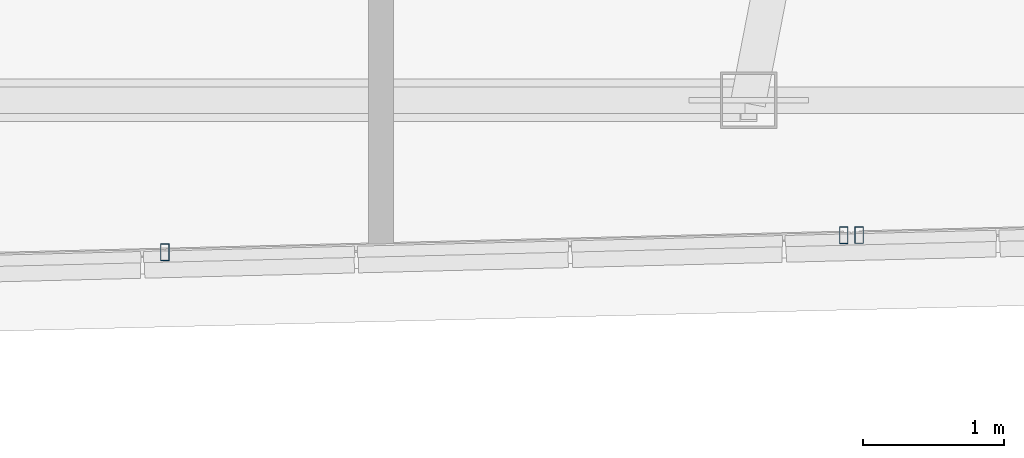
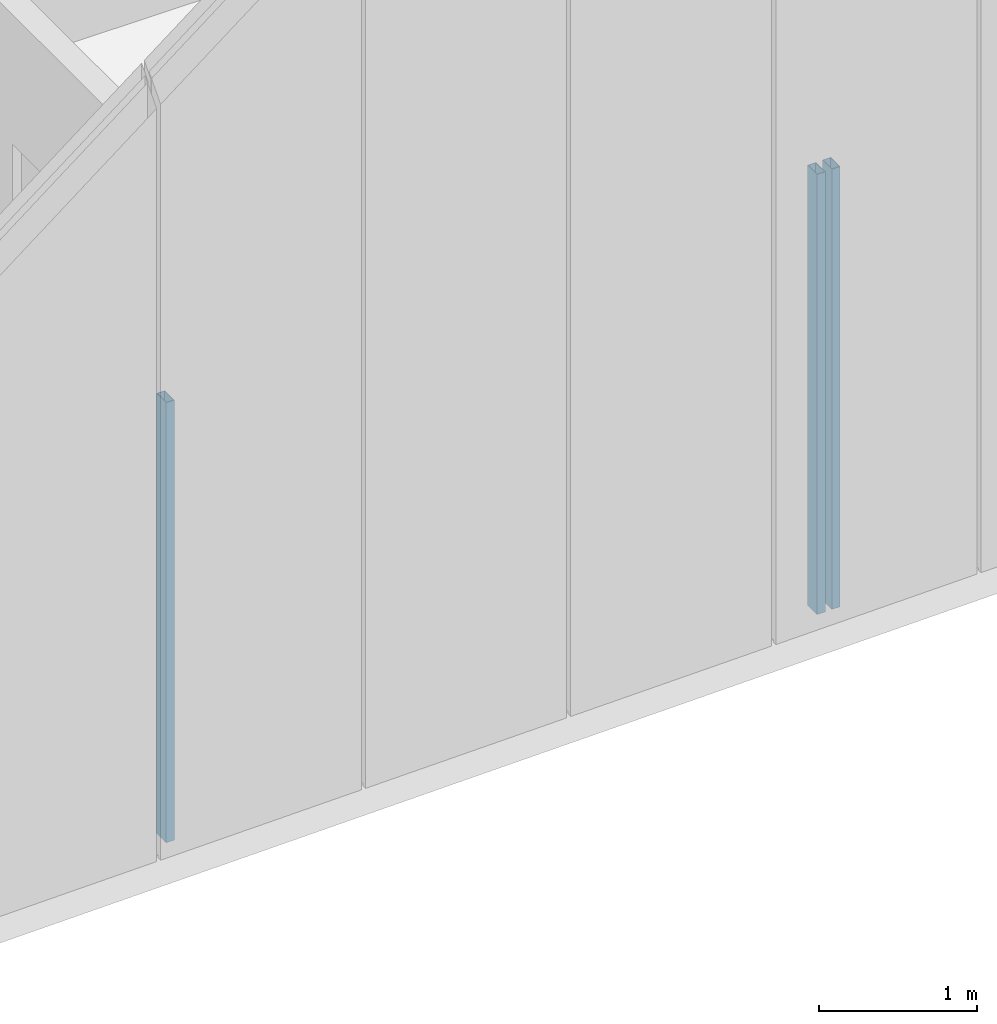
# One storey, part 12 of 50: 3 members, 2 elements without a shape of their own.
"""IFC4 building model written with IfcOpenShell, lengths in metres."""

from ifc_helpers import new_model, si_unit, direction, frame, origin, origin_2d, place, context, subcontext, project, spatial, hollow_rectangle, extrude, source, transform, mapped, material, material_profile, profile_set, type_object, type_shapes, element, aggregate, save


model = new_model("IFC4")

# Units and contexts
model_context = context("Model", 3, precision=1e-05, world=origin(), true_north=direction((0.0, 1.0)))
body_context = subcontext(model_context, "Body", "Model", "MODEL_VIEW")
ifc_project = project(units=[si_unit("LENGTHUNIT", "METRE"), si_unit("AREAUNIT", "SQUARE_METRE"), si_unit("VOLUMEUNIT", "CUBIC_METRE"), si_unit("PLANEANGLEUNIT", "RADIAN"), si_unit("MASSUNIT", "GRAM", prefix="KILO")], contexts=[model_context])

# Site, building, storey
site_placement = place(None, origin())
site = spatial("IfcSite", under=ifc_project, at=site_placement, CompositionType="ELEMENT")
building_placement = place(site_placement, origin())
building = spatial("IfcBuilding", under=site, at=building_placement, Name="Caelisora Broadcast Tower", CompositionType="ELEMENT")
storey_placement = place(building_placement, frame((0.0, 0.0, 303.39990234375)))
storey = spatial("IfcBuildingStorey", under=building, at=storey_placement, Name="L80", CompositionType="ELEMENT", Elevation=303.39990234375)

# Curtain wall, member
ifc_material_1 = material(Name="Unitised Aluminium Insulated Shadow-Box Spandrel Curtain Wall", Category="aluminium")
curtain_wall_type = type_object("IfcCurtainWallType", Name="CW-SP3", PredefinedType="NOTDEFINED", material=ifc_material_1)
curtain_wall_1_placement = place(storey_placement, origin())
curtain_wall_1 = element("IfcCurtainWall", 1, at=curtain_wall_1_placement, inside=storey, type_object=curtain_wall_type, Name="L80 curtain wall CW-SP3", PredefinedType="NOTDEFINED")
ifc_material_2 = material(Name="Aluminium 6063-T6 Anodised Terracotta Bronze", Category="aluminium")
ifc_material_profile = material_profile(ifc_material_2, hollow_rectangle(XDim=0.06005859375, YDim=0.1201171875, WallThickness=0.0029296875, at=origin_2d()), Name="Aluminium 6063-T6 Anodised Terracotta Bronze")
ifc_profile_set = profile_set([ifc_material_profile], Name="Aluminium 6063-T6 Anodised Terracotta Bronze")
member_type = type_object("IfcMemberType", Name="CWM-04", PredefinedType="MULLION", material=ifc_profile_set)
shared_shape = source(origin(), body_context, "Body", "SweptSolid", [
    extrude(hollow_rectangle(XDim=0.06005859375, YDim=0.1201171875, WallThickness=0.0029296875, at=origin_2d()), origin(), (0.0, 0.0, 1.0), 3.400146484375),
])
type_shapes(member_type, [shared_shape])
member_1_placement = place(storey_placement, frame((44.898681640625, 9.291748046875, 0.0), z_axis=(0.0, 0.0, 1.0), x_axis=(1.0, 0.0, 0.0)))
member_1 = element("IfcMember", 2, at=member_1_placement, type_object=member_type, Name="L80-CW-B05 mullion #3", PredefinedType="MULLION", context=body_context, shape_type="MappedRepresentation", body=[
    mapped(shared_shape, transform((0.0, 0.0, 0.0), scale=1.0)),
])
aggregate(curtain_wall_1, [member_1])

# Curtain wall, members
curtain_wall_2_placement = place(storey_placement, origin())
curtain_wall_2 = element("IfcCurtainWall", 3, at=curtain_wall_2_placement, inside=storey, type_object=curtain_wall_type, Name="L80 curtain wall CW-SP3", PredefinedType="NOTDEFINED")
member_2_placement = place(storey_placement, frame((44.788818359375, 9.2890625, 0.0), z_axis=(0.0, 0.0, 1.0), x_axis=(1.0, 0.0, 0.0)))
member_2 = element("IfcMember", 4, at=member_2_placement, type_object=member_type, Name="L80-CW-B06 mullion #0", PredefinedType="MULLION", context=body_context, shape_type="MappedRepresentation", body=[
    mapped(shared_shape, transform((0.0, 0.0, 0.0), scale=1.0)),
])
member_3_placement = place(storey_placement, frame((39.9638671875, 9.168701171875, 0.0), z_axis=(0.0, 0.0, 1.0), x_axis=(1.0, 0.0, 0.0)))
member_3 = element("IfcMember", 5, at=member_3_placement, type_object=member_type, Name="L80-CW-B06 mullion #1", PredefinedType="MULLION", context=body_context, shape_type="MappedRepresentation", body=[
    mapped(shared_shape, transform((0.0, 0.0, 0.0), scale=1.0)),
])
aggregate(curtain_wall_2, [member_2, member_3])

save(model, "model.ifc")
